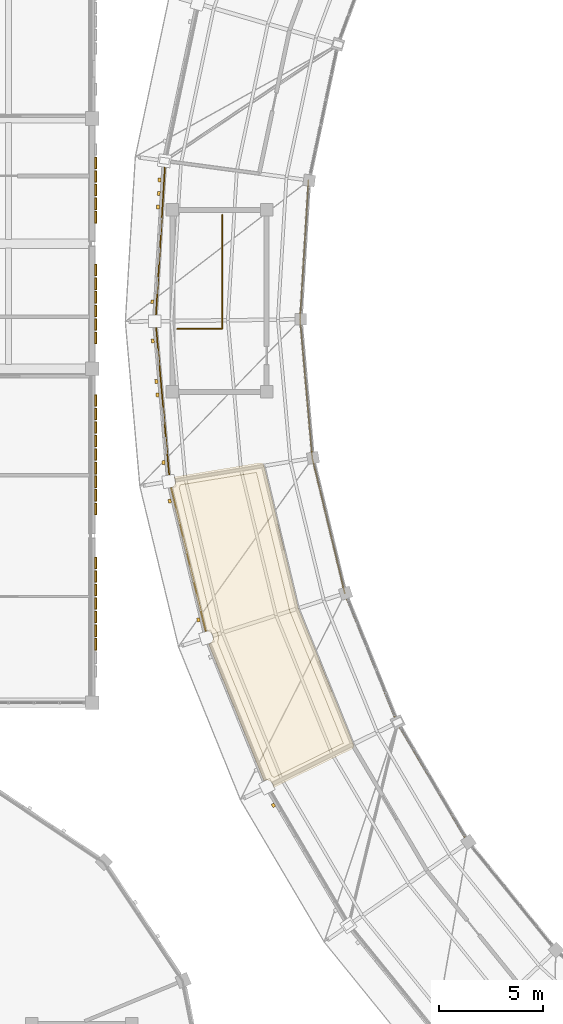
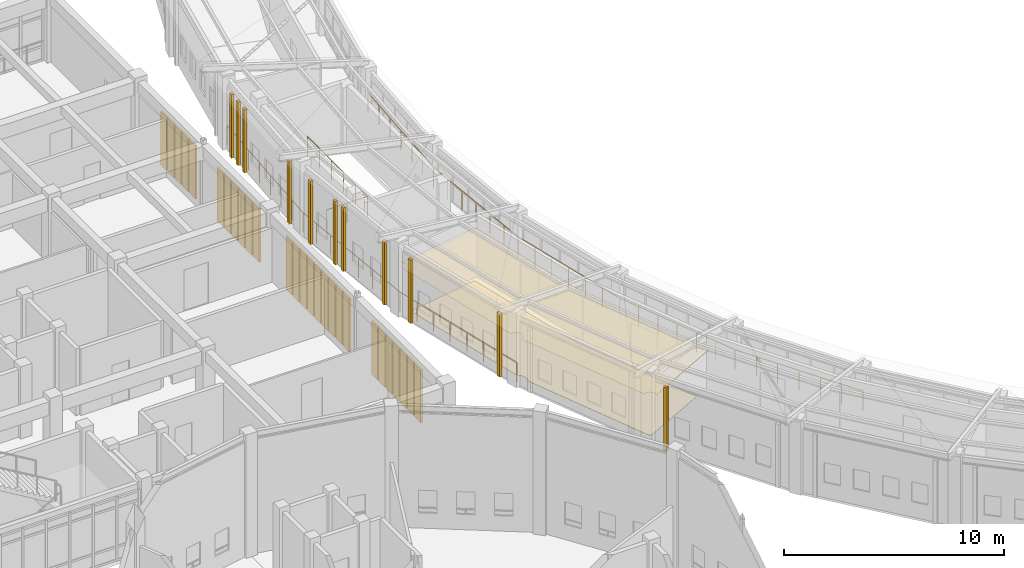
# One storey, part 139 of 149: 27 shading devices, 13 coverings, 10 railings.
"""IFC4 building model written with IfcOpenShell, lengths in metres."""

from ifc_helpers import new_model, si_unit, direction, frame, origin, origin_2d, place, context, subcontext, project, spatial, polyline, rectangle, circle, outline, extrude, material, layer, layer_set, type_object, element, save


model = new_model("IFC4")

# Units and contexts
model_context = context("Model", 3, precision=1e-05, world=origin(), true_north=direction((0.0, 1.0)))
body_context = subcontext(model_context, "Body", "Model", "MODEL_VIEW")
ifc_project = project(units=[si_unit("LENGTHUNIT", "METRE"), si_unit("AREAUNIT", "SQUARE_METRE"), si_unit("VOLUMEUNIT", "CUBIC_METRE"), si_unit("PLANEANGLEUNIT", "RADIAN"), si_unit("MASSUNIT", "GRAM", prefix="KILO")], contexts=[model_context])

# Site, building, storey
site_placement = place(None, origin())
site = spatial("IfcSite", under=ifc_project, at=site_placement, CompositionType="ELEMENT")
building_placement = place(site_placement, origin())
building = spatial("IfcBuilding", under=site, at=building_placement, Name="Celadon Cloister-Ring School", CompositionType="ELEMENT")
storey_placement = place(building_placement, frame((0.0, 0.0, 12.5)))
storey = spatial("IfcBuildingStorey", under=building, at=storey_placement, Name="L03", CompositionType="ELEMENT", Elevation=12.5)

# Coverings
ifc_material_1 = material(Name="Mineral-fibre acoustic ceiling board")
ifc_layer_1 = layer(ifc_material_1, 0.02001953125)
ifc_layer_set_1 = layer_set([ifc_layer_1], Name="Mineral-fibre acoustic ceiling board")
covering_type_1 = type_object("IfcCoveringType", Name="CV-CL1", PredefinedType="CEILING", material=ifc_layer_set_1)
covering_1_placement = place(storey_placement, frame((0.0, 0.0, 2.550048828125)))
element("IfcCovering", 1, at=covering_1_placement, inside=storey, type_object=covering_type_1, Name="Acoustic Ceiling 0022", PredefinedType="CEILING", context=body_context, shape_type="SweptSolid", body=[
    extrude(outline(polyline([(35.9189453125, 50.821044921875), (40.034912109375, 51.501953125), (40.089111328125, 51.501953125), (40.156005859375, 51.47900390625), (40.208984375, 51.430908203125), (40.23388671875, 51.383056640625), (41.885009765625, 44.529052734375), (44.52294921875, 38.010009765625), (44.535888671875, 37.93896484375), (44.527099609375, 37.885986328125), (44.512939453125, 37.85400390625), (44.47998046875, 37.81103515625), (44.43603515625, 37.781005859375), (40.72509765625, 35.949951171875), (40.693115234375, 35.94091796875), (40.693115234375, 36.008056640625), (40.6708984375, 36.09912109375), (40.6220703125, 36.179931640625), (40.552978515625, 36.242919921875), (40.4970703125, 36.27294921875), (40.406005859375, 36.294921875), (40.31298828125, 36.291015625), (40.236083984375, 36.264892578125), (37.5849609375, 42.81396484375), (37.635986328125, 42.8359375), (37.68798828125, 42.87109375), (37.73193359375, 42.9150390625), (37.76708984375, 42.967041015625), (37.799072265625, 43.055908203125), (37.804931640625, 43.117919921875), (37.799072265625, 43.179931640625), (37.781005859375, 43.239990234375), (37.73193359375, 43.321044921875), (37.68798828125, 43.364990234375), (37.635986328125, 43.39990234375), (37.577880859375, 43.424072265625), (37.51611328125, 43.43603515625), (37.4541015625, 43.43603515625), (37.389892578125, 43.424072265625), (35.737060546875, 50.2919921875), (35.803955078125, 50.31103515625), (35.885009765625, 50.360107421875), (35.928955078125, 50.404052734375), (35.97802734375, 50.485107421875), (35.99609375, 50.544921875), (36.0, 50.637939453125), (35.97802734375, 50.72900390625), (35.9189453125, 50.821044921875)])), origin(), (0.0, 0.0, 1.0), 0.02001953125),
])
ifc_material_2 = material(Name="Polished cement-marble terrazzo tile", Category="masonry")
ifc_layer_2 = layer(ifc_material_2, 0.01806640625)
ifc_layer_set_2 = layer_set([ifc_layer_2], Name="Polished cement-marble terrazzo tile")
covering_type_2 = type_object("IfcCoveringType", Name="CV-FL1", PredefinedType="FLOORING", material=ifc_layer_set_2)
covering_2_placement = place(storey_placement, origin())
element("IfcCovering", 2, at=covering_2_placement, inside=storey, type_object=covering_type_2, Name="Terrazzo Flooring 0021", PredefinedType="FLOORING", context=body_context, shape_type="SweptSolid", body=[
    extrude(outline(polyline([(36.173095703125, 50.318115234375), (36.178955078125, 50.327880859375), (36.18994140625, 50.34912109375), (36.2041015625, 50.3779296875), (36.212890625, 50.39990234375), (36.22412109375, 50.429931640625), (36.22802734375, 50.443115234375), (39.875, 51.0400390625), (41.469970703125, 44.4150390625), (41.47509765625, 44.39794921875), (41.48095703125, 44.3798828125), (44.037109375, 38.06298828125), (40.72412109375, 36.427001953125), (40.701904296875, 36.444091796875), (40.680908203125, 36.4580078125), (40.654052734375, 36.47412109375), (40.633056640625, 36.485107421875), (40.60498046875, 36.498046875), (38.012939453125, 42.904052734375), (38.01611328125, 42.910888671875), (38.027099609375, 42.94091796875), (38.033935546875, 42.964111328125), (38.041015625, 42.9951171875), (38.0458984375, 43.01904296875), (38.051025390625, 43.050048828125), (38.052978515625, 43.073974609375), (38.054931640625, 43.10595703125), (38.054931640625, 43.1298828125), (38.052978515625, 43.162109375), (38.051025390625, 43.18603515625), (38.0458984375, 43.217041015625), (38.041015625, 43.240966796875), (38.033935546875, 43.27197265625), (38.027099609375, 43.294921875), (38.01611328125, 43.324951171875), (38.007080078125, 43.346923828125), (37.992919921875, 43.3759765625), (37.98193359375, 43.39697265625), (37.966064453125, 43.424072265625), (37.951904296875, 43.445068359375), (37.93310546875, 43.469970703125), (37.91796875, 43.489013671875), (37.89697265625, 43.511962890625), (37.87890625, 43.530029296875), (37.85595703125, 43.551025390625), (37.8369140625, 43.56591796875), (37.81201171875, 43.5849609375), (37.791015625, 43.59912109375), (37.7900390625, 43.59912109375), (36.173095703125, 50.318115234375)])), origin(), (0.0, 0.0, 1.0), 0.01806640625),
])
ifc_material_3 = material(Name="Perforated terracotta clay brick masonry", Category="masonry")
ifc_layer_3 = layer(ifc_material_3, 0.139892578125)
ifc_layer_set_3 = layer_set([ifc_layer_3], Name="Perforated terracotta clay brick masonry")
covering_type_3 = type_object("IfcCoveringType", Name="CV-SC1", PredefinedType="CLADDING", material=ifc_layer_set_3)
for number, where, z_axis, x_axis, name in (
    (3, (34.884033203125, 59.217041015625, -0.00048828125), (0.0, 0.0, 1.0), (0.060142636109, 0.998189793237, 0.0), "Brick Screen Rib 0349"),
    (4, (35.157958984375, 63.759033203125, -0.00048828125), (0.0, 0.0, 1.0), (0.060142636109, 0.998189793237, 0.0), "Brick Screen Rib 0350"),
    (5, (35.197021484375, 64.407958984375, -0.00048828125), (0.0, 0.0, 1.0), (0.060142636109, 0.998189793237, 0.0), "Brick Screen Rib 0351"),
    (6, (35.236083984375, 65.055908203125, -0.00048828125), (0.0, 0.0, 1.0), (0.060142636109, 0.998189793237, 0.0), "Brick Screen Rib 0352"),
    (7, (35.425048828125, 51.514892578125, -0.00048828125), (0.0, 0.0, 1.0), (-0.087972896574, 0.996122868661, 0.0), "Brick Screen Rib 0353"),
    (8, (35.138916015625, 54.751953125, -0.00048828125), (0.0, 0.0, 1.0), (-0.087972896574, 0.996122868661, 0.0), "Brick Screen Rib 0354"),
    (9, (35.0810546875, 55.39990234375, -0.00048828125), (0.0, 0.0, 1.0), (-0.087972896574, 0.996122868661, 0.0), "Brick Screen Rib 0355"),
    (10, (34.909912109375, 57.342041015625, -0.00048828125), (0.0, 0.0, 1.0), (-0.087972896574, 0.996122868661, 0.0), "Brick Screen Rib 0356"),
    (11, (37.095947265625, 43.97705078125, -0.00048828125), (0.0, 0.0, 1.0), (-0.233988401232, 0.972239388263, 0.0), "Brick Screen Rib 0357"),
    (12, (35.72705078125, 49.6650390625, -0.00048828125), (0.0, 0.0, 1.0), (-0.233988401232, 0.972239388263, 0.0), "Brick Screen Rib 0358"),
    (13, (40.693115234375, 35.089111328125, -0.00048828125), (0.0, 0.0, 1.0), (-0.507944339768, 0.861389892962, 0.0), "Brick Screen Rib 0362"),
):
    element("IfcCovering", number, at=place(storey_placement, frame(where, z_axis=z_axis, x_axis=x_axis)), inside=storey, type_object=covering_type_3, Name=name, PredefinedType="CLADDING", context=body_context, shape_type="SweptSolid", body=[
        extrude(rectangle(XDim=0.179931640625, YDim=0.139892578125, at=origin_2d()), origin(), (0.0, 0.0, 1.0), 3.51708984375),
    ])

# Railings
ifc_material_4 = material(Name="Structural steel S355JR", Category="steel")
railing_type_1 = type_object("IfcRailingType", Name="RL-BL1", PredefinedType="BALUSTRADE", material=ifc_material_4)
railing_1_placement = place(storey_placement, frame((35.509033203125, 65.966064453125, 0.0)))
element("IfcRailing", 14, at=railing_1_placement, inside=storey, type_object=railing_type_1, Name="Terrace Balustrade 0151", PredefinedType="BALUSTRADE", context=body_context, shape_type="SweptSolid", body=[
    extrude(circle(Radius=0.02392578125, at=origin_2d()), frame((0.0, 0.0, 1.09619140625), z_axis=(-0.060289190769, -0.998180952271, 0.0), x_axis=(0.998180952271, -0.060289190769, 0.0)), (0.0, 0.0, 1.0), 7.697998046875),
    extrude(circle(Radius=0.02099609375, at=origin_2d()), origin(), (0.0, 0.0, 1.0), 1.072021484375),
    extrude(circle(Radius=0.02099609375, at=origin_2d()), frame((-0.06640625, -1.09765625, 0.0)), (0.0, 0.0, 1.0), 1.072021484375),
    extrude(circle(Radius=0.02099609375, at=origin_2d()), frame((-0.132568359375, -2.195556640625, 0.0)), (0.0, 0.0, 1.0), 1.072021484375),
    extrude(circle(Radius=0.02099609375, at=origin_2d()), frame((-0.198974609375, -3.293212890625, 0.0)), (0.0, 0.0, 1.0), 1.072021484375),
    extrude(circle(Radius=0.02099609375, at=origin_2d()), frame((-0.26513671875, -4.390869140625, 0.0)), (0.0, 0.0, 1.0), 1.072021484375),
    extrude(circle(Radius=0.02099609375, at=origin_2d()), frame((-0.33154296875, -5.488525390625, 0.0)), (0.0, 0.0, 1.0), 1.072021484375),
    extrude(circle(Radius=0.02099609375, at=origin_2d()), frame((-0.397705078125, -6.58642578125, 0.0)), (0.0, 0.0, 1.0), 1.072021484375),
    extrude(circle(Radius=0.02099609375, at=origin_2d()), frame((-0.464111328125, -7.68408203125, 0.0)), (0.0, 0.0, 1.0), 1.072021484375),
])
railing_2_placement = place(storey_placement, frame((35.044921875, 58.281982421875, 0.0)))
element("IfcRailing", 15, at=railing_2_placement, inside=storey, type_object=railing_type_1, Name="Terrace Balustrade 0152", PredefinedType="BALUSTRADE", context=body_context, shape_type="SweptSolid", body=[
    extrude(circle(Radius=0.02392578125, at=origin_2d()), frame((0.0, 0.0, 1.09619140625), z_axis=(0.08782161192, -0.996136217834, 0.0), x_axis=(0.996136217834, 0.08782161192, 0.0)), (0.0, 0.0, 1.0), 7.69775390625),
    extrude(circle(Radius=0.02099609375, at=origin_2d()), origin(), (0.0, 0.0, 1.0), 1.072021484375),
    extrude(circle(Radius=0.02099609375, at=origin_2d()), frame((0.0966796875, -1.095458984375, 0.0)), (0.0, 0.0, 1.0), 1.072021484375),
    extrude(circle(Radius=0.02099609375, at=origin_2d()), frame((0.193115234375, -2.19091796875, 0.0)), (0.0, 0.0, 1.0), 1.072021484375),
    extrude(circle(Radius=0.02099609375, at=origin_2d()), frame((0.289794921875, -3.286376953125, 0.0)), (0.0, 0.0, 1.0), 1.072021484375),
    extrude(circle(Radius=0.02099609375, at=origin_2d()), frame((0.38623046875, -4.381591796875, 0.0)), (0.0, 0.0, 1.0), 1.072021484375),
    extrude(circle(Radius=0.02099609375, at=origin_2d()), frame((0.48291015625, -5.47705078125, 0.0)), (0.0, 0.0, 1.0), 1.072021484375),
    extrude(circle(Radius=0.02099609375, at=origin_2d()), frame((0.579345703125, -6.572509765625, 0.0)), (0.0, 0.0, 1.0), 1.072021484375),
    extrude(circle(Radius=0.02099609375, at=origin_2d()), frame((0.676025390625, -7.66796875, 0.0)), (0.0, 0.0, 1.0), 1.072021484375),
])
railing_3_placement = place(storey_placement, frame((35.720947265625, 50.614013671875, 0.0)))
element("IfcRailing", 16, at=railing_3_placement, inside=storey, type_object=railing_type_1, Name="Terrace Balustrade 0153", PredefinedType="BALUSTRADE", context=body_context, shape_type="SweptSolid", body=[
    extrude(circle(Radius=0.02392578125, at=origin_2d()), frame((0.0, 0.0, 1.09619140625), z_axis=(0.234086591506, -0.972215751609, 0.0), x_axis=(0.972215751609, 0.234086591506, 0.0)), (0.0, 0.0, 1.0), 7.697998046875),
    extrude(circle(Radius=0.02099609375, at=origin_2d()), origin(), (0.0, 0.0, 1.0), 1.072021484375),
    extrude(circle(Radius=0.02099609375, at=origin_2d()), frame((0.25732421875, -1.069091796875, 0.0)), (0.0, 0.0, 1.0), 1.072021484375),
    extrude(circle(Radius=0.02099609375, at=origin_2d()), frame((0.514892578125, -2.138427734375, 0.0)), (0.0, 0.0, 1.0), 1.072021484375),
    extrude(circle(Radius=0.02099609375, at=origin_2d()), frame((0.772216796875, -3.20751953125, 0.0)), (0.0, 0.0, 1.0), 1.072021484375),
    extrude(circle(Radius=0.02099609375, at=origin_2d()), frame((1.02978515625, -4.276611328125, 0.0)), (0.0, 0.0, 1.0), 1.072021484375),
    extrude(circle(Radius=0.02099609375, at=origin_2d()), frame((1.287109375, -5.345703125, 0.0)), (0.0, 0.0, 1.0), 1.072021484375),
    extrude(circle(Radius=0.02099609375, at=origin_2d()), frame((1.544677734375, -6.4150390625, 0.0)), (0.0, 0.0, 1.0), 1.072021484375),
    extrude(circle(Radius=0.02099609375, at=origin_2d()), frame((1.802001953125, -7.484130859375, 0.0)), (0.0, 0.0, 1.0), 1.072021484375),
])
railing_4_placement = place(storey_placement, frame((42.366943359375, 65.0380859375, 0.0)))
element("IfcRailing", 17, at=railing_4_placement, inside=storey, type_object=railing_type_1, Name="Terrace Balustrade 0186", PredefinedType="BALUSTRADE", context=body_context, shape_type="SweptSolid", body=[
    extrude(circle(Radius=0.02392578125, at=origin_2d()), frame((0.0, 0.0, 1.09619140625), z_axis=(-0.060364720691, -0.998176387467, 0.0), x_axis=(0.998176387467, -0.060364720691, 0.0)), (0.0, 0.0, 1.0), 6.67333984375),
    extrude(circle(Radius=0.02099609375, at=origin_2d()), origin(), (0.0, 0.0, 1.0), 1.072021484375),
    extrude(circle(Radius=0.02099609375, at=origin_2d()), frame((-0.067138671875, -1.110107421875, 0.0)), (0.0, 0.0, 1.0), 1.072021484375),
    extrude(circle(Radius=0.02099609375, at=origin_2d()), frame((-0.13427734375, -2.220458984375, 0.0)), (0.0, 0.0, 1.0), 1.072021484375),
    extrude(circle(Radius=0.02099609375, at=origin_2d()), frame((-0.201416015625, -3.33056640625, 0.0)), (0.0, 0.0, 1.0), 1.072021484375),
    extrude(circle(Radius=0.02099609375, at=origin_2d()), frame((-0.2685546875, -4.440673828125, 0.0)), (0.0, 0.0, 1.0), 1.072021484375),
    extrude(circle(Radius=0.02099609375, at=origin_2d()), frame((-0.335693359375, -5.551025390625, 0.0)), (0.0, 0.0, 1.0), 1.072021484375),
    extrude(circle(Radius=0.02099609375, at=origin_2d()), frame((-0.40283203125, -6.6611328125, 0.0)), (0.0, 0.0, 1.0), 1.072021484375),
])
railing_5_placement = place(storey_placement, frame((41.964111328125, 58.376953125, 0.0)))
element("IfcRailing", 18, at=railing_5_placement, inside=storey, type_object=railing_type_1, Name="Terrace Balustrade 0187", PredefinedType="BALUSTRADE", context=body_context, shape_type="SweptSolid", body=[
    extrude(circle(Radius=0.02392578125, at=origin_2d()), frame((0.0, 0.0, 1.09619140625), z_axis=(0.087823325262, -0.99613606678, 0.0), x_axis=(0.99613606678, 0.087823325262, 0.0)), (0.0, 0.0, 1.0), 6.671875),
    extrude(circle(Radius=0.02099609375, at=origin_2d()), origin(), (0.0, 0.0, 1.0), 1.072021484375),
    extrude(circle(Radius=0.02099609375, at=origin_2d()), frame((0.09765625, -1.107666015625, 0.0)), (0.0, 0.0, 1.0), 1.072021484375),
    extrude(circle(Radius=0.02099609375, at=origin_2d()), frame((0.1953125, -2.21533203125, 0.0)), (0.0, 0.0, 1.0), 1.072021484375),
    extrude(circle(Radius=0.02099609375, at=origin_2d()), frame((0.29296875, -3.322998046875, 0.0)), (0.0, 0.0, 1.0), 1.072021484375),
    extrude(circle(Radius=0.02099609375, at=origin_2d()), frame((0.390625, -4.4306640625, 0.0)), (0.0, 0.0, 1.0), 1.072021484375),
    extrude(circle(Radius=0.02099609375, at=origin_2d()), frame((0.48828125, -5.538330078125, 0.0)), (0.0, 0.0, 1.0), 1.072021484375),
    extrude(circle(Radius=0.02099609375, at=origin_2d()), frame((0.5859375, -6.64599609375, 0.0)), (0.0, 0.0, 1.0), 1.072021484375),
])
railing_6_placement = place(storey_placement, frame((42.550048828125, 51.73095703125, 0.0)))
element("IfcRailing", 19, at=railing_6_placement, inside=storey, type_object=railing_type_1, Name="Terrace Balustrade 0188", PredefinedType="BALUSTRADE", context=body_context, shape_type="SweptSolid", body=[
    extrude(circle(Radius=0.02392578125, at=origin_2d()), frame((0.0, 0.0, 1.09619140625), z_axis=(0.234064724834, -0.972221016327, 0.0), x_axis=(0.972221016327, 0.234064724834, 0.0)), (0.0, 0.0, 1.0), 6.67333984375),
    extrude(circle(Radius=0.02099609375, at=origin_2d()), origin(), (0.0, 0.0, 1.0), 1.072021484375),
    extrude(circle(Radius=0.02099609375, at=origin_2d()), frame((0.26025390625, -1.081298828125, 0.0)), (0.0, 0.0, 1.0), 1.072021484375),
    extrude(circle(Radius=0.02099609375, at=origin_2d()), frame((0.520751953125, -2.16259765625, 0.0)), (0.0, 0.0, 1.0), 1.072021484375),
    extrude(circle(Radius=0.02099609375, at=origin_2d()), frame((0.781005859375, -3.244140625, 0.0)), (0.0, 0.0, 1.0), 1.072021484375),
    extrude(circle(Radius=0.02099609375, at=origin_2d()), frame((1.041259765625, -4.325439453125, 0.0)), (0.0, 0.0, 1.0), 1.072021484375),
    extrude(circle(Radius=0.02099609375, at=origin_2d()), frame((1.3017578125, -5.40673828125, 0.0)), (0.0, 0.0, 1.0), 1.072021484375),
    extrude(circle(Radius=0.02099609375, at=origin_2d()), frame((1.56201171875, -6.488037109375, 0.0)), (0.0, 0.0, 1.0), 1.072021484375),
])
railing_7_placement = place(storey_placement, frame((44.112060546875, 45.242919921875, 0.0)))
element("IfcRailing", 20, at=railing_7_placement, inside=storey, type_object=railing_type_1, Name="Terrace Balustrade 0189", PredefinedType="BALUSTRADE", context=body_context, shape_type="SweptSolid", body=[
    extrude(circle(Radius=0.02392578125, at=origin_2d()), frame((0.0, 0.0, 1.09619140625), z_axis=(0.375135116183, -0.926970142241, 0.0), x_axis=(0.926970142241, 0.375135116183, 0.0)), (0.0, 0.0, 1.0), 6.672119140625),
    extrude(circle(Radius=0.02099609375, at=origin_2d()), origin(), (0.0, 0.0, 1.0), 1.072021484375),
    extrude(circle(Radius=0.02099609375, at=origin_2d()), frame((0.417236328125, -1.03076171875, 0.0)), (0.0, 0.0, 1.0), 1.072021484375),
    extrude(circle(Radius=0.02099609375, at=origin_2d()), frame((0.834228515625, -2.0615234375, 0.0)), (0.0, 0.0, 1.0), 1.072021484375),
    extrude(circle(Radius=0.02099609375, at=origin_2d()), frame((1.25146484375, -3.09228515625, 0.0)), (0.0, 0.0, 1.0), 1.072021484375),
    extrude(circle(Radius=0.02099609375, at=origin_2d()), frame((1.668701171875, -4.123291015625, 0.0)), (0.0, 0.0, 1.0), 1.072021484375),
    extrude(circle(Radius=0.02099609375, at=origin_2d()), frame((2.085693359375, -5.154052734375, 0.0)), (0.0, 0.0, 1.0), 1.072021484375),
    extrude(circle(Radius=0.02099609375, at=origin_2d()), frame((2.5029296875, -6.184814453125, 0.0)), (0.0, 0.0, 1.0), 1.072021484375),
])
railing_8_placement = place(storey_placement, frame((46.614990234375, 39.05810546875, 0.0)))
element("IfcRailing", 21, at=railing_8_placement, inside=storey, type_object=railing_type_1, Name="Terrace Balustrade 0190", PredefinedType="BALUSTRADE", context=body_context, shape_type="SweptSolid", body=[
    extrude(circle(Radius=0.02392578125, at=origin_2d()), frame((0.0, 0.0, 1.09619140625), z_axis=(0.508051148049, -0.861326901337, 0.0), x_axis=(0.861326901337, 0.508051148049, 0.0)), (0.0, 0.0, 1.0), 6.67236328125),
    extrude(circle(Radius=0.02099609375, at=origin_2d()), origin(), (0.0, 0.0, 1.0), 1.072021484375),
    extrude(circle(Radius=0.02099609375, at=origin_2d()), frame((0.56494140625, -0.957763671875, 0.0)), (0.0, 0.0, 1.0), 1.072021484375),
    extrude(circle(Radius=0.02099609375, at=origin_2d()), frame((1.1298828125, -1.915771484375, 0.0)), (0.0, 0.0, 1.0), 1.072021484375),
    extrude(circle(Radius=0.02099609375, at=origin_2d()), frame((1.69482421875, -2.87353515625, 0.0)), (0.0, 0.0, 1.0), 1.072021484375),
    extrude(circle(Radius=0.02099609375, at=origin_2d()), frame((2.260009765625, -3.831298828125, 0.0)), (0.0, 0.0, 1.0), 1.072021484375),
    extrude(circle(Radius=0.02099609375, at=origin_2d()), frame((2.824951171875, -4.789306640625, 0.0)), (0.0, 0.0, 1.0), 1.072021484375),
    extrude(circle(Radius=0.02099609375, at=origin_2d()), frame((3.389892578125, -5.7470703125, 0.0)), (0.0, 0.0, 1.0), 1.072021484375),
])
ifc_material_5 = material(Name="Structural steel S355JR", Category="steel")
railing_type_2 = type_object("IfcRailingType", Name="RL-BL2", PredefinedType="BALUSTRADE", material=ifc_material_5)
railing_9_placement = place(storey_placement, frame((36.090087890625, 57.9150390625, 0.0)))
element("IfcRailing", 22, at=railing_9_placement, inside=storey, type_object=railing_type_2, Name="Interior Guard 0251", PredefinedType="BALUSTRADE", context=body_context, shape_type="SweptSolid", body=[
    extrude(circle(Radius=0.02392578125, at=origin_2d()), frame((0.0, 0.0, 1.09619140625), z_axis=(1.0, 0.0, 0.0), x_axis=(0.0, 1.0, 0.0)), (0.0, 0.0, 1.0), 2.139892578125),
    extrude(circle(Radius=0.02099609375, at=origin_2d()), origin(), (0.0, 0.0, 1.0), 1.072021484375),
    extrude(circle(Radius=0.02099609375, at=origin_2d()), frame((1.06982421875, 0.0, 0.0)), (0.0, 0.0, 1.0), 1.072021484375),
    extrude(circle(Radius=0.02099609375, at=origin_2d()), frame((2.139892578125, 0.0, 0.0)), (0.0, 0.0, 1.0), 1.072021484375),
])
railing_10_placement = place(storey_placement, frame((38.22998046875, 57.9150390625, 0.0)))
element("IfcRailing", 23, at=railing_10_placement, inside=storey, type_object=railing_type_2, Name="Interior Guard 0252", PredefinedType="BALUSTRADE", context=body_context, shape_type="SweptSolid", body=[
    extrude(circle(Radius=0.02392578125, at=origin_2d()), frame((0.0, 0.0, 1.09619140625), z_axis=(0.0, 1.0, 0.0), x_axis=(-1.0, 0.0, 0.0)), (0.0, 0.0, 1.0), 5.46484375),
    extrude(circle(Radius=0.02099609375, at=origin_2d()), origin(), (0.0, 0.0, 1.0), 1.072021484375),
    extrude(circle(Radius=0.02099609375, at=origin_2d()), frame((0.0, 1.093017578125, 0.0)), (0.0, 0.0, 1.0), 1.072021484375),
    extrude(circle(Radius=0.02099609375, at=origin_2d()), frame((0.0, 2.18603515625, 0.0)), (0.0, 0.0, 1.0), 1.072021484375),
    extrude(circle(Radius=0.02099609375, at=origin_2d()), frame((0.0, 3.27880859375, 0.0)), (0.0, 0.0, 1.0), 1.072021484375),
    extrude(circle(Radius=0.02099609375, at=origin_2d()), frame((0.0, 4.371826171875, 0.0)), (0.0, 0.0, 1.0), 1.072021484375),
    extrude(circle(Radius=0.02099609375, at=origin_2d()), frame((0.0, 5.46484375, 0.0)), (0.0, 0.0, 1.0), 1.072021484375),
])

# Shading devices
ifc_material_6 = material(Name="Glazed celadon architectural terracotta", Category="masonry")
shading_device_type = type_object("IfcShadingDeviceType", Name="SD-01", PredefinedType="USERDEFINED", material=ifc_material_6)
for number, where, z_axis, x_axis, name in (
    (24, (32.172119140625, 65.867919921875, 0.0), (0.0, 0.0, 1.0), (0.0, -1.0, 0.0), "Celadon Sunshade Screen 0248"),
    (25, (32.172119140625, 65.218017578125, 0.0), (0.0, 0.0, 1.0), (0.0, -1.0, 0.0), "Celadon Sunshade Screen 0249"),
    (26, (32.172119140625, 64.56689453125, 0.0), (0.0, 0.0, 1.0), (0.0, -1.0, 0.0), "Celadon Sunshade Screen 0250"),
    (27, (32.172119140625, 63.91796875, 0.0), (0.0, 0.0, 1.0), (0.0, -1.0, 0.0), "Celadon Sunshade Screen 0251"),
    (28, (32.172119140625, 63.26708984375, 0.0), (0.0, 0.0, 1.0), (0.0, -1.0, 0.0), "Celadon Sunshade Screen 0252"),
    (29, (32.172119140625, 60.73291015625, 0.0), (0.0, 0.0, 1.0), (0.0, -1.0, 0.0), "Celadon Sunshade Screen 0253"),
    (30, (32.172119140625, 60.08203125, 0.0), (0.0, 0.0, 1.0), (0.0, -1.0, 0.0), "Celadon Sunshade Screen 0254"),
    (31, (32.172119140625, 59.431884765625, 0.0), (0.0, 0.0, 1.0), (0.0, -1.0, 0.0), "Celadon Sunshade Screen 0255"),
    (32, (32.172119140625, 58.781982421875, 0.0), (0.0, 0.0, 1.0), (0.0, -1.0, 0.0), "Celadon Sunshade Screen 0256"),
    (33, (32.172119140625, 58.133056640625, 0.0), (0.0, 0.0, 1.0), (0.0, -1.0, 0.0), "Celadon Sunshade Screen 0257"),
    (34, (32.172119140625, 57.48291015625, 0.0), (0.0, 0.0, 1.0), (0.0, -1.0, 0.0), "Celadon Sunshade Screen 0258"),
    (35, (32.172119140625, 54.491943359375, 0.0), (0.0, 0.0, 1.0), (0.0, -1.0, 0.0), "Celadon Sunshade Screen 0259"),
    (36, (32.172119140625, 53.843017578125, 0.0), (0.0, 0.0, 1.0), (0.0, -1.0, 0.0), "Celadon Sunshade Screen 0260"),
    (37, (32.172119140625, 53.193115234375, 0.0), (0.0, 0.0, 1.0), (0.0, -1.0, 0.0), "Celadon Sunshade Screen 0261"),
    (38, (32.172119140625, 52.54296875, 0.0), (0.0, 0.0, 1.0), (0.0, -1.0, 0.0), "Celadon Sunshade Screen 0262"),
    (39, (32.172119140625, 51.89208984375, 0.0), (0.0, 0.0, 1.0), (0.0, -1.0, 0.0), "Celadon Sunshade Screen 0263"),
    (40, (32.172119140625, 51.241943359375, 0.0), (0.0, 0.0, 1.0), (0.0, -1.0, 0.0), "Celadon Sunshade Screen 0264"),
    (41, (32.172119140625, 50.593017578125, 0.0), (0.0, 0.0, 1.0), (0.0, -1.0, 0.0), "Celadon Sunshade Screen 0265"),
    (42, (32.172119140625, 49.943115234375, 0.0), (0.0, 0.0, 1.0), (0.0, -1.0, 0.0), "Celadon Sunshade Screen 0266"),
    (43, (32.172119140625, 49.29296875, 0.0), (0.0, 0.0, 1.0), (0.0, -1.0, 0.0), "Celadon Sunshade Screen 0267"),
    (44, (32.172119140625, 46.70703125, 0.0), (0.0, 0.0, 1.0), (0.0, -1.0, 0.0), "Celadon Sunshade Screen 0268"),
    (45, (32.172119140625, 46.056884765625, 0.0), (0.0, 0.0, 1.0), (0.0, -1.0, 0.0), "Celadon Sunshade Screen 0269"),
    (46, (32.172119140625, 45.406982421875, 0.0), (0.0, 0.0, 1.0), (0.0, -1.0, 0.0), "Celadon Sunshade Screen 0270"),
    (47, (32.172119140625, 44.758056640625, 0.0), (0.0, 0.0, 1.0), (0.0, -1.0, 0.0), "Celadon Sunshade Screen 0271"),
    (48, (32.172119140625, 44.10791015625, 0.0), (0.0, 0.0, 1.0), (0.0, -1.0, 0.0), "Celadon Sunshade Screen 0272"),
    (49, (32.172119140625, 43.45703125, 0.0), (0.0, 0.0, 1.0), (0.0, -1.0, 0.0), "Celadon Sunshade Screen 0273"),
    (50, (32.172119140625, 42.806884765625, 0.0), (0.0, 0.0, 1.0), (0.0, -1.0, 0.0), "Celadon Sunshade Screen 0274"),
):
    element("IfcShadingDevice", number, at=place(storey_placement, frame(where, z_axis=z_axis, x_axis=x_axis)), inside=storey, type_object=shading_device_type, Name=name, ObjectType="SUNSHADE", PredefinedType="USERDEFINED", context=body_context, shape_type="SweptSolid", body=[
        extrude(rectangle(XDim=0.56005859375, YDim=0.090087890625, at=origin_2d()), origin(), (0.0, 0.0, 1.0), 2.949951171875),
    ])

save(model, "model.ifc")
